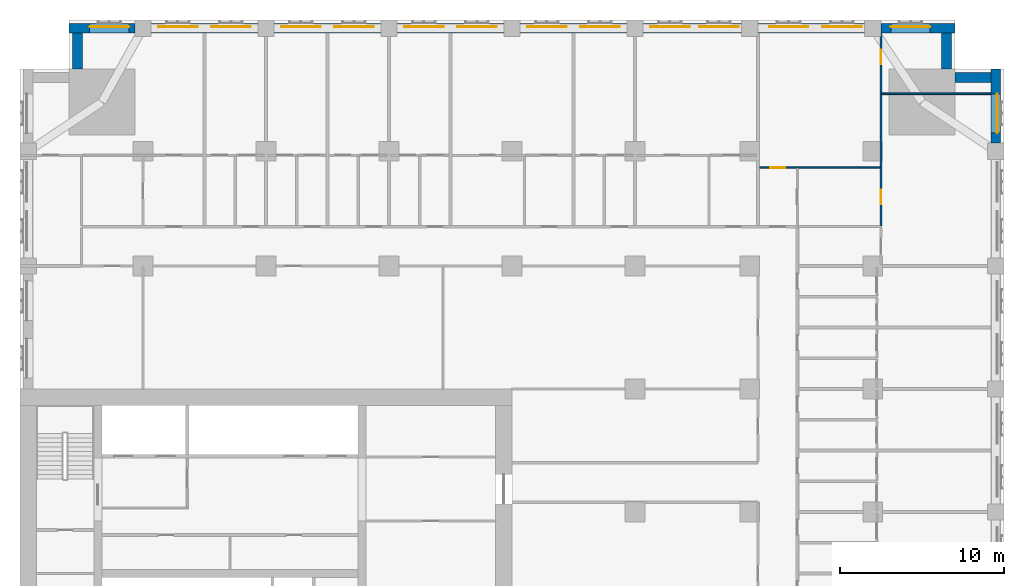
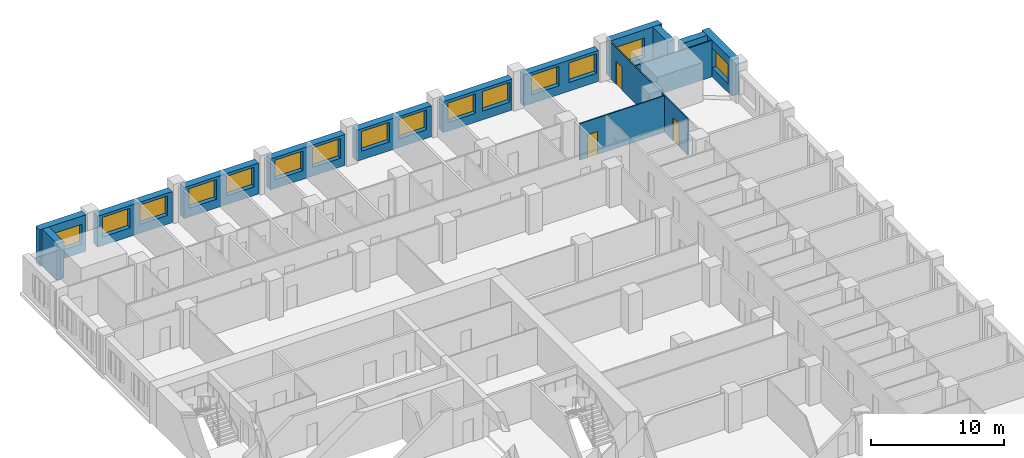
# One storey, part 12 of 15: 15 walls, 15 windows, 3 doors, 18 openings.
"""IFC4 building model written with IfcOpenShell, lengths in metres."""

import ifcopenshell
import ifcopenshell.guid

model = None  # the IFC model being written
_history = None  # IfcOwnerHistory: only IFC2X3 demands one
_inside = {}  # id of a spatial element -> (the spatial element, [elements in it])
_under = {}  # id of a project, library or spatial element -> (it, [spatial elements below it])
_declared = {}  # id of a project -> (the project, [libraries it declares])
_typed = {}  # id of a type object -> (the type object, [elements of that type])
_made_of = {}  # id of a material, layer set ... -> (it, [elements and type objects made of it])


def new_model(schema):
    """Start an empty IFC model of exactly this schema.

    Asked for "IFC4X3", IfcOpenShell would pick the latest addendum, in which some entities
    have other attributes; the version numbers below select the first issue.
    IFC2X3 requires an IfcOwnerHistory on every rooted entity: one is made here for all.
    """
    global model, _history
    if schema == "IFC4X3":
        model = ifcopenshell.file(schema_version=(4, 3, 0, 0))
    else:
        model = ifcopenshell.file(schema=schema)
    _inside.clear()
    _under.clear()
    _declared.clear()
    _typed.clear()
    _made_of.clear()
    _history = None
    if model.schema == "IFC2X3":
        org = make("IfcOrganization", Name="unknown")
        user = make(
            "IfcPersonAndOrganization",
            ThePerson=make("IfcPerson", FamilyName="unknown"),
            TheOrganization=org,
        )
        app = make(
            "IfcApplication",
            ApplicationDeveloper=org,
            Version="unknown",
            ApplicationFullName="unknown",
            ApplicationIdentifier="unknown",
        )
        _history = make(
            "IfcOwnerHistory",
            OwningUser=user,
            OwningApplication=app,
            ChangeAction="ADDED",
            CreationDate=0,
        )
    return model


def make(cls, **values):
    """One entity of the class cls with the attributes given. An attribute that is None is left unset."""
    return model.create_entity(
        cls, **{name: value for name, value in values.items() if value is not None}
    )


def rooted(cls, **values):
    """An entity with a GlobalId (a new one), such as an element, a storey or a relation."""
    return make(cls, GlobalId=ifcopenshell.guid.new(), OwnerHistory=_history, **values)


def si_unit(unit_type, name, prefix=None):
    """IfcSIUnit, for example si_unit("LENGTHUNIT", "METRE", prefix="MILLI")."""
    return make("IfcSIUnit", UnitType=unit_type, Prefix=prefix, Name=name)


def assignment(units):
    """IfcUnitAssignment: the units of a project."""
    return None if units is None else make("IfcUnitAssignment", Units=units)


def point(xyz):
    """IfcCartesianPoint."""
    return None if xyz is None else make("IfcCartesianPoint", Coordinates=xyz)


def direction(xyz):
    """IfcDirection."""
    return None if xyz is None else make("IfcDirection", DirectionRatios=xyz)


def frame(location, z_axis=None, x_axis=None):
    """IfcAxis2Placement3D, a coordinate frame: its origin and axes. An axis left out is left unset."""
    return make(
        "IfcAxis2Placement3D",
        Location=point(location),
        Axis=direction(z_axis),
        RefDirection=direction(x_axis),
    )


def frame_2d(location, x_axis=None):
    """IfcAxis2Placement2D, a coordinate frame in the plane: its origin and x axis."""
    return make(
        "IfcAxis2Placement2D", Location=point(location), RefDirection=direction(x_axis)
    )


def origin():
    """The frame at (0, 0, 0) with its axes left unset."""
    return frame((0.0, 0.0, 0.0))


def place(relative_to, where):
    """IfcLocalPlacement: puts the frame where relative to a parent placement (None: the world)."""
    return make(
        "IfcLocalPlacement", PlacementRelTo=relative_to, RelativePlacement=where
    )


def context(
    kind, dimensions, precision=None, world=None, true_north=None, identifier=None
):
    """IfcGeometricRepresentationContext, for example the 3D "Model" context."""
    return make(
        "IfcGeometricRepresentationContext",
        ContextIdentifier=identifier,
        ContextType=kind,
        CoordinateSpaceDimension=dimensions,
        Precision=precision,
        WorldCoordinateSystem=world,
        TrueNorth=true_north,
    )


def subcontext(parent, identifier, kind, view, scale=None):
    """IfcGeometricRepresentationSubContext, for example "Body" below "Model"."""
    return make(
        "IfcGeometricRepresentationSubContext",
        ContextIdentifier=identifier,
        ContextType=kind,
        ParentContext=parent,
        TargetScale=scale,
        TargetView=view,
    )


def project(units=None, contexts=None):
    """IfcProject with its units and contexts."""
    return rooted(
        "IfcProject",
        Name="project",
        RepresentationContexts=contexts,
        UnitsInContext=assignment(units),
    )


def spatial(cls, under=None, at=None, **own):
    """A site, building, storey or space (cls), placed at a placement, below another one or the project."""
    s = rooted(cls, ObjectPlacement=at, **own)
    if under is not None:
        _under.setdefault(under.id(), (under, []))[1].append(s)
    return s


def profile(cls, at=None, kind="AREA", **sizes):
    """A parametric profile (cls). Its sizes go by their IFC names, for example OverallWidth=200.0."""
    return make(cls, ProfileType=kind, Position=at, **sizes)


def rectangle(**sizes):
    """IfcRectangleProfileDef."""
    return profile("IfcRectangleProfileDef", **sizes)


def extrude(swept, where, along, depth):
    """IfcExtrudedAreaSolid: the profile swept, set in the frame where, extruded along a direction by depth."""
    return make(
        "IfcExtrudedAreaSolid",
        SweptArea=swept,
        Position=where,
        ExtrudedDirection=direction(along),
        Depth=depth,
    )


def shape(context_of_items, identifier, shape_type, items):
    """IfcShapeRepresentation: the items that make up one representation, for example the "Body"."""
    return make(
        "IfcShapeRepresentation",
        ContextOfItems=context_of_items,
        RepresentationIdentifier=identifier,
        RepresentationType=shape_type,
        Items=items,
    )


def material(Name=None, Category=None):
    """IfcMaterial."""
    return make("IfcMaterial", Name=Name, Category=Category)


def layer(
    of_material, thickness, ventilated=None, Name=None, Category=None, Priority=None
):
    """IfcMaterialLayer: one layer of a wall or slab, of a material (None: an air gap)."""
    return make(
        "IfcMaterialLayer",
        Material=of_material,
        LayerThickness=thickness,
        IsVentilated=ventilated,
        Name=Name,
        Category=Category,
        Priority=Priority,
    )


def layer_set(layers, Name=None):
    """IfcMaterialLayerSet."""
    return make("IfcMaterialLayerSet", MaterialLayers=layers, LayerSetName=Name)


def made_of(thing, what):
    """Note that an element or type object is made of a material, layer set ...; save() writes the relation."""
    if what is not None:
        _made_of.setdefault(what.id(), (what, []))[1].append(thing)
    return thing


def type_object(cls, material=None, **own):
    """A type object (cls), such as IfcWallType, which elements share."""
    return made_of(rooted(cls, **own), material)


def element(
    cls,
    number,
    at=None,
    inside=None,
    cuts=None,
    type_object=None,
    material=None,
    context=None,
    identifier="Body",
    shape_type=None,
    held_by="IfcProductDefinitionShape",
    body=None,
    shapes=None,
    **own,
):
    """One element of the class cls, such as IfcWall. Its Tag is "e" and its number.

    at: its placement. inside: the storey or other place that contains it. cuts: it is an
    opening in that element (IfcRelVoidsElement). A single representation is given by context,
    identifier, shape_type and body (its items); several are given by shapes. held_by: the class
    of the entity that holds the representations. save() writes the other relations.
    """
    e = rooted(cls, Tag="e%d" % number, ObjectPlacement=at, **own)
    if body is not None:
        shapes = [shape(context, identifier, shape_type, body)]
    if shapes is not None:
        e.Representation = make(held_by, Representations=shapes)
    if inside is not None:
        _inside.setdefault(inside.id(), (inside, []))[1].append(e)
    if cuts is not None:
        rooted(
            "IfcRelVoidsElement", RelatingBuildingElement=cuts, RelatedOpeningElement=e
        )
    if type_object is not None:
        _typed.setdefault(type_object.id(), (type_object, []))[1].append(e)
    return made_of(e, material)


def fill(opening, filler):
    """IfcRelFillsElement: the door or window that sits in an opening."""
    return rooted(
        "IfcRelFillsElement",
        RelatingOpeningElement=opening,
        RelatedBuildingElement=filler,
    )


def aggregate(whole, parts):
    """IfcRelAggregates: a whole, such as a stair, and the parts it consists of."""
    return rooted("IfcRelAggregates", RelatingObject=whole, RelatedObjects=parts)


def save(model, path):
    """Write the relations noted so far, then the file.

    IfcRelAggregates (storeys below a building ...), IfcRelContainedInSpatialStructure (elements
    in a storey), IfcRelDefinesByType, IfcRelAssociatesMaterial and IfcRelDeclares: one each for
    every whole, place, type object, material and project.
    """
    for whole, parts in _under.values():
        aggregate(whole, parts)
    for where, things in _inside.values():
        rooted(
            "IfcRelContainedInSpatialStructure",
            RelatedElements=things,
            RelatingStructure=where,
        )
    for kind, things in _typed.values():
        rooted("IfcRelDefinesByType", RelatedObjects=things, RelatingType=kind)
    for what, things in _made_of.values():
        rooted("IfcRelAssociatesMaterial", RelatedObjects=things, RelatingMaterial=what)
    for by, libraries in _declared.values():
        rooted("IfcRelDeclares", RelatingContext=by, RelatedDefinitions=libraries)
    model.write(path)


model = new_model("IFC4")

# Units and contexts
model_context = context("Model", 3, precision=1e-05, world=origin(), true_north=direction((0.0, 1.0)))
body_context = subcontext(model_context, "Body", "Model", "MODEL_VIEW")
ifc_project = project(units=[si_unit("LENGTHUNIT", "METRE"), si_unit("AREAUNIT", "SQUARE_METRE"), si_unit("VOLUMEUNIT", "CUBIC_METRE"), si_unit("PLANEANGLEUNIT", "RADIAN"), si_unit("MASSUNIT", "GRAM", prefix="KILO")], contexts=[model_context])

# Site, building, storey
site_placement = place(None, origin())
site = spatial("IfcSite", under=ifc_project, at=site_placement, CompositionType="ELEMENT")
building_placement = place(site_placement, origin())
building = spatial("IfcBuilding", under=site, at=building_placement, Name="Tamorin Gate", CompositionType="ELEMENT")
storey_placement = place(building_placement, frame((0.0, 0.0, 62.800048828125)))
storey = spatial("IfcBuildingStorey", under=building, at=storey_placement, Name="L14", CompositionType="ELEMENT", Elevation=62.800048828125)

# Wall, opening, window
ifc_material_1 = material(Name="Precast concrete C40/50", Category="concrete")
ifc_layer_1 = layer(ifc_material_1, 0.60009765625)
ifc_layer_set_1 = layer_set([ifc_layer_1], Name="Precast concrete C40/50")
wall_type_1 = type_object("IfcWallType", Name="Board-marked concrete facade panel 600", PredefinedType="SOLIDWALL", material=ifc_layer_set_1)
wall_1_placement = place(storey_placement, frame((89.5, 97.5, 0.0), z_axis=(0.0, 0.0, 1.0), x_axis=(0.0, 1.0, 0.0)))
wall_1 = element("IfcWall", 1, at=wall_1_placement, inside=storey, type_object=wall_type_1, Name="Facade panel", PredefinedType="SOLIDWALL", context=body_context, shape_type="SweptSolid", body=[
    extrude(rectangle(XDim=4.5, YDim=0.60009765625, at=frame_2d((2.25, 0.0))), origin(), (0.0, 0.0, 1.0), 3.349853515625),
])
opening_1_placement = place(wall_1_placement, frame((0.60009765625, 0.0, 0.800048828125)))
opening_1 = element("IfcOpeningElement", 2, at=opening_1_placement, cuts=wall_1, Name="Opening WN1", PredefinedType="OPENING", context=body_context, shape_type="SweptSolid", body=[
    extrude(rectangle(XDim=2.39990234375, YDim=1.800048828125, at=frame_2d((1.199951171875, 0.89990234375))), frame((0.0, 0.31005859375, 0.0), z_axis=(0.0, -1.0, 0.0), x_axis=(1.0, 0.0, 0.0)), (0.0, 0.0, 1.0), 0.6201171875),
])
ifc_material_2 = material(Name="Clear glass in aluminium frame", Category="aluminium")
window_type = type_object("IfcWindowType", Name="Deep-set window 2400x1800", PartitioningType="SINGLE_PANEL", PredefinedType="WINDOW", material=ifc_material_2)
window_1_placement = place(opening_1_placement, origin())
window_1 = element("IfcWindow", 3, at=window_1_placement, inside=storey, type_object=window_type, Name="Deep-set window", OverallHeight=1.800048828125, OverallWidth=2.39990234375, PartitioningType="SINGLE_PANEL", PredefinedType="WINDOW", context=body_context, shape_type="SweptSolid", body=[
    extrude(rectangle(XDim=2.39990234375, YDim=1.800048828125, at=frame_2d((1.199951171875, 0.89990234375))), frame((0.0, -0.070068359375, 0.0), z_axis=(0.0, -1.0, 0.0), x_axis=(1.0, 0.0, 0.0)), (0.0, 0.0, 1.0), 0.06005859375),
])
fill(opening_1, window_1)

# Walls
for number, where, z_axis, x_axis, name in (
    (4, (89.199951171875, 101.5, 0.0), (0.0, 0.0, 1.0), (-1.0, 0.0, 0.0), "Facade panel"),
    (5, (86.5, 102.0, 0.0), (0.0, 0.0, 1.0), (0.0, 1.0, 0.0), "Facade panel"),
):
    element("IfcWall", number, at=place(storey_placement, frame(where, z_axis=z_axis, x_axis=x_axis)), inside=storey, type_object=wall_type_1, Name=name, PredefinedType="SOLIDWALL", context=body_context, shape_type="SweptSolid", body=[
        extrude(rectangle(XDim=2.199951171875, YDim=0.60009765625, at=frame_2d((1.10009765625, 0.0))), origin(), (0.0, 0.0, 1.0), 3.349853515625),
    ])

# Wall, opening, window
wall_2_placement = place(storey_placement, frame((87.0, 104.5, 0.0), z_axis=(0.0, 0.0, 1.0), x_axis=(-1.0, 0.0, 0.0)))
wall_2 = element("IfcWall", 6, at=wall_2_placement, inside=storey, type_object=wall_type_1, Name="Facade panel", PredefinedType="SOLIDWALL", context=body_context, shape_type="SweptSolid", body=[
    extrude(rectangle(XDim=4.5, YDim=0.60009765625, at=frame_2d((2.25, 0.0))), origin(), (0.0, 0.0, 1.0), 3.349853515625),
])
opening_2_placement = place(wall_2_placement, frame((1.5, 0.0, 0.800048828125)))
opening_2 = element("IfcOpeningElement", 7, at=opening_2_placement, cuts=wall_2, Name="Opening WN1", PredefinedType="OPENING", context=body_context, shape_type="SweptSolid", body=[
    extrude(rectangle(XDim=2.39990234375, YDim=1.800048828125, at=frame_2d((1.199951171875, 0.89990234375))), frame((0.0, 0.31005859375, 0.0), z_axis=(0.0, -1.0, 0.0), x_axis=(1.0, 0.0, 0.0)), (0.0, 0.0, 1.0), 0.6201171875),
])
window_2_placement = place(opening_2_placement, origin())
window_2 = element("IfcWindow", 8, at=window_2_placement, inside=storey, type_object=window_type, Name="Deep-set window", OverallHeight=1.800048828125, OverallWidth=2.39990234375, PartitioningType="SINGLE_PANEL", PredefinedType="WINDOW", context=body_context, shape_type="SweptSolid", body=[
    extrude(rectangle(XDim=2.39990234375, YDim=1.800048828125, at=frame_2d((1.199951171875, 0.89990234375))), frame((0.0, -0.070068359375, 0.0), z_axis=(0.0, -1.0, 0.0), x_axis=(1.0, 0.0, 0.0)), (0.0, 0.0, 1.0), 0.06005859375),
])
fill(opening_2, window_2)

# Wall, openings, windows
wall_3_placement = place(storey_placement, frame((81.5, 104.5, 0.0), z_axis=(0.0, 0.0, 1.0), x_axis=(-1.0, 0.0, 0.0)))
wall_3 = element("IfcWall", 9, at=wall_3_placement, inside=storey, type_object=wall_type_1, Name="Facade panel", PredefinedType="SOLIDWALL", context=body_context, shape_type="SweptSolid", body=[
    extrude(rectangle(XDim=6.5, YDim=0.60009765625, at=frame_2d((3.25, 0.0))), origin(), (0.0, 0.0, 1.0), 2.849853515625),
])
opening_3_placement = place(wall_3_placement, frame((3.425048828125, 0.0, 0.800048828125)))
opening_3 = element("IfcOpeningElement", 10, at=opening_3_placement, cuts=wall_3, Name="Opening WN1", PredefinedType="OPENING", context=body_context, shape_type="SweptSolid", body=[
    extrude(rectangle(XDim=2.39990234375, YDim=1.800048828125, at=frame_2d((1.199951171875, 0.89990234375))), frame((0.0, 0.31005859375, 0.0), z_axis=(0.0, -1.0, 0.0), x_axis=(1.0, 0.0, 0.0)), (0.0, 0.0, 1.0), 0.6201171875),
])
opening_4_placement = place(wall_3_placement, frame((0.175048828125, 0.0, 0.800048828125)))
opening_4 = element("IfcOpeningElement", 11, at=opening_4_placement, cuts=wall_3, Name="Opening WN1", PredefinedType="OPENING", context=body_context, shape_type="SweptSolid", body=[
    extrude(rectangle(XDim=2.39990234375, YDim=1.800048828125, at=frame_2d((1.199951171875, 0.89990234375))), frame((0.0, 0.31005859375, 0.0), z_axis=(0.0, -1.0, 0.0), x_axis=(1.0, 0.0, 0.0)), (0.0, 0.0, 1.0), 0.6201171875),
])
window_3_placement = place(opening_3_placement, origin())
window_3 = element("IfcWindow", 12, at=window_3_placement, inside=storey, type_object=window_type, Name="Deep-set window", OverallHeight=1.800048828125, OverallWidth=2.39990234375, PartitioningType="SINGLE_PANEL", PredefinedType="WINDOW", context=body_context, shape_type="SweptSolid", body=[
    extrude(rectangle(XDim=2.39990234375, YDim=1.800048828125, at=frame_2d((1.199951171875, 0.89990234375))), frame((0.0, -0.070068359375, 0.0), z_axis=(0.0, -1.0, 0.0), x_axis=(1.0, 0.0, 0.0)), (0.0, 0.0, 1.0), 0.06005859375),
])
fill(opening_3, window_3)
window_4_placement = place(opening_4_placement, origin())
window_4 = element("IfcWindow", 13, at=window_4_placement, inside=storey, type_object=window_type, Name="Deep-set window", OverallHeight=1.800048828125, OverallWidth=2.39990234375, PartitioningType="SINGLE_PANEL", PredefinedType="WINDOW", context=body_context, shape_type="SweptSolid", body=[
    extrude(rectangle(XDim=2.39990234375, YDim=1.800048828125, at=frame_2d((1.199951171875, 0.89990234375))), frame((0.0, -0.070068359375, 0.0), z_axis=(0.0, -1.0, 0.0), x_axis=(1.0, 0.0, 0.0)), (0.0, 0.0, 1.0), 0.06005859375),
])
fill(opening_4, window_4)

wall_4_placement = place(storey_placement, frame((74.0, 104.5, 0.0), z_axis=(0.0, 0.0, 1.0), x_axis=(-1.0, 0.0, 0.0)))
wall_4 = element("IfcWall", 14, at=wall_4_placement, inside=storey, type_object=wall_type_1, Name="Facade panel", PredefinedType="SOLIDWALL", context=body_context, shape_type="SweptSolid", body=[
    extrude(rectangle(XDim=6.0, YDim=0.60009765625, at=frame_2d((3.0, 0.0))), origin(), (0.0, 0.0, 1.0), 2.849853515625),
])
opening_5_placement = place(wall_4_placement, frame((3.175048828125, 0.0, 0.800048828125)))
opening_5 = element("IfcOpeningElement", 15, at=opening_5_placement, cuts=wall_4, Name="Opening WN1", PredefinedType="OPENING", context=body_context, shape_type="SweptSolid", body=[
    extrude(rectangle(XDim=2.39990234375, YDim=1.800048828125, at=frame_2d((1.199951171875, 0.89990234375))), frame((0.0, 0.31005859375, 0.0), z_axis=(0.0, -1.0, 0.0), x_axis=(1.0, 0.0, 0.0)), (0.0, 0.0, 1.0), 0.6201171875),
])
opening_6_placement = place(wall_4_placement, frame((0.175048828125, 0.0, 0.800048828125)))
opening_6 = element("IfcOpeningElement", 16, at=opening_6_placement, cuts=wall_4, Name="Opening WN1", PredefinedType="OPENING", context=body_context, shape_type="SweptSolid", body=[
    extrude(rectangle(XDim=2.39990234375, YDim=1.800048828125, at=frame_2d((1.199951171875, 0.89990234375))), frame((0.0, 0.31005859375, 0.0), z_axis=(0.0, -1.0, 0.0), x_axis=(1.0, 0.0, 0.0)), (0.0, 0.0, 1.0), 0.6201171875),
])
window_5_placement = place(opening_5_placement, origin())
window_5 = element("IfcWindow", 17, at=window_5_placement, inside=storey, type_object=window_type, Name="Deep-set window", OverallHeight=1.800048828125, OverallWidth=2.39990234375, PartitioningType="SINGLE_PANEL", PredefinedType="WINDOW", context=body_context, shape_type="SweptSolid", body=[
    extrude(rectangle(XDim=2.39990234375, YDim=1.800048828125, at=frame_2d((1.199951171875, 0.89990234375))), frame((0.0, -0.070068359375, 0.0), z_axis=(0.0, -1.0, 0.0), x_axis=(1.0, 0.0, 0.0)), (0.0, 0.0, 1.0), 0.06005859375),
])
fill(opening_5, window_5)
window_6_placement = place(opening_6_placement, origin())
window_6 = element("IfcWindow", 18, at=window_6_placement, inside=storey, type_object=window_type, Name="Deep-set window", OverallHeight=1.800048828125, OverallWidth=2.39990234375, PartitioningType="SINGLE_PANEL", PredefinedType="WINDOW", context=body_context, shape_type="SweptSolid", body=[
    extrude(rectangle(XDim=2.39990234375, YDim=1.800048828125, at=frame_2d((1.199951171875, 0.89990234375))), frame((0.0, -0.070068359375, 0.0), z_axis=(0.0, -1.0, 0.0), x_axis=(1.0, 0.0, 0.0)), (0.0, 0.0, 1.0), 0.06005859375),
])
fill(opening_6, window_6)

wall_5_placement = place(storey_placement, frame((67.0, 104.5, 0.0), z_axis=(0.0, 0.0, 1.0), x_axis=(-1.0, 0.0, 0.0)))
wall_5 = element("IfcWall", 19, at=wall_5_placement, inside=storey, type_object=wall_type_1, Name="Facade panel", PredefinedType="SOLIDWALL", context=body_context, shape_type="SweptSolid", body=[
    extrude(rectangle(XDim=6.5, YDim=0.60009765625, at=frame_2d((3.25, 0.0))), origin(), (0.0, 0.0, 1.0), 2.849853515625),
])
opening_7_placement = place(wall_5_placement, frame((3.675048828125, 0.0, 0.800048828125)))
opening_7 = element("IfcOpeningElement", 20, at=opening_7_placement, cuts=wall_5, Name="Opening WN1", PredefinedType="OPENING", context=body_context, shape_type="SweptSolid", body=[
    extrude(rectangle(XDim=2.39990234375, YDim=1.800048828125, at=frame_2d((1.199951171875, 0.89990234375))), frame((0.0, 0.31005859375, 0.0), z_axis=(0.0, -1.0, 0.0), x_axis=(1.0, 0.0, 0.0)), (0.0, 0.0, 1.0), 0.6201171875),
])
opening_8_placement = place(wall_5_placement, frame((0.425048828125, 0.0, 0.800048828125)))
opening_8 = element("IfcOpeningElement", 21, at=opening_8_placement, cuts=wall_5, Name="Opening WN1", PredefinedType="OPENING", context=body_context, shape_type="SweptSolid", body=[
    extrude(rectangle(XDim=2.39990234375, YDim=1.800048828125, at=frame_2d((1.199951171875, 0.89990234375))), frame((0.0, 0.31005859375, 0.0), z_axis=(0.0, -1.0, 0.0), x_axis=(1.0, 0.0, 0.0)), (0.0, 0.0, 1.0), 0.6201171875),
])
window_7_placement = place(opening_7_placement, origin())
window_7 = element("IfcWindow", 22, at=window_7_placement, inside=storey, type_object=window_type, Name="Deep-set window", OverallHeight=1.800048828125, OverallWidth=2.39990234375, PartitioningType="SINGLE_PANEL", PredefinedType="WINDOW", context=body_context, shape_type="SweptSolid", body=[
    extrude(rectangle(XDim=2.39990234375, YDim=1.800048828125, at=frame_2d((1.199951171875, 0.89990234375))), frame((0.0, -0.070068359375, 0.0), z_axis=(0.0, -1.0, 0.0), x_axis=(1.0, 0.0, 0.0)), (0.0, 0.0, 1.0), 0.06005859375),
])
fill(opening_7, window_7)
window_8_placement = place(opening_8_placement, origin())
window_8 = element("IfcWindow", 23, at=window_8_placement, inside=storey, type_object=window_type, Name="Deep-set window", OverallHeight=1.800048828125, OverallWidth=2.39990234375, PartitioningType="SINGLE_PANEL", PredefinedType="WINDOW", context=body_context, shape_type="SweptSolid", body=[
    extrude(rectangle(XDim=2.39990234375, YDim=1.800048828125, at=frame_2d((1.199951171875, 0.89990234375))), frame((0.0, -0.070068359375, 0.0), z_axis=(0.0, -1.0, 0.0), x_axis=(1.0, 0.0, 0.0)), (0.0, 0.0, 1.0), 0.06005859375),
])
fill(opening_8, window_8)

wall_6_placement = place(storey_placement, frame((59.5, 104.5, 0.0), z_axis=(0.0, 0.0, 1.0), x_axis=(-1.0, 0.0, 0.0)))
wall_6 = element("IfcWall", 24, at=wall_6_placement, inside=storey, type_object=wall_type_1, Name="Facade panel", PredefinedType="SOLIDWALL", context=body_context, shape_type="SweptSolid", body=[
    extrude(rectangle(XDim=6.5, YDim=0.60009765625, at=frame_2d((3.25, 0.0))), origin(), (0.0, 0.0, 1.0), 2.849853515625),
])
opening_9_placement = place(wall_6_placement, frame((3.675048828125, 0.0, 0.800048828125)))
opening_9 = element("IfcOpeningElement", 25, at=opening_9_placement, cuts=wall_6, Name="Opening WN1", PredefinedType="OPENING", context=body_context, shape_type="SweptSolid", body=[
    extrude(rectangle(XDim=2.39990234375, YDim=1.800048828125, at=frame_2d((1.199951171875, 0.89990234375))), frame((0.0, 0.31005859375, 0.0), z_axis=(0.0, -1.0, 0.0), x_axis=(1.0, 0.0, 0.0)), (0.0, 0.0, 1.0), 0.6201171875),
])
opening_10_placement = place(wall_6_placement, frame((0.425048828125, 0.0, 0.800048828125)))
opening_10 = element("IfcOpeningElement", 26, at=opening_10_placement, cuts=wall_6, Name="Opening WN1", PredefinedType="OPENING", context=body_context, shape_type="SweptSolid", body=[
    extrude(rectangle(XDim=2.39990234375, YDim=1.800048828125, at=frame_2d((1.199951171875, 0.89990234375))), frame((0.0, 0.31005859375, 0.0), z_axis=(0.0, -1.0, 0.0), x_axis=(1.0, 0.0, 0.0)), (0.0, 0.0, 1.0), 0.6201171875),
])
window_9_placement = place(opening_9_placement, origin())
window_9 = element("IfcWindow", 27, at=window_9_placement, inside=storey, type_object=window_type, Name="Deep-set window", OverallHeight=1.800048828125, OverallWidth=2.39990234375, PartitioningType="SINGLE_PANEL", PredefinedType="WINDOW", context=body_context, shape_type="SweptSolid", body=[
    extrude(rectangle(XDim=2.39990234375, YDim=1.800048828125, at=frame_2d((1.199951171875, 0.89990234375))), frame((0.0, -0.070068359375, 0.0), z_axis=(0.0, -1.0, 0.0), x_axis=(1.0, 0.0, 0.0)), (0.0, 0.0, 1.0), 0.06005859375),
])
fill(opening_9, window_9)
window_10_placement = place(opening_10_placement, origin())
window_10 = element("IfcWindow", 28, at=window_10_placement, inside=storey, type_object=window_type, Name="Deep-set window", OverallHeight=1.800048828125, OverallWidth=2.39990234375, PartitioningType="SINGLE_PANEL", PredefinedType="WINDOW", context=body_context, shape_type="SweptSolid", body=[
    extrude(rectangle(XDim=2.39990234375, YDim=1.800048828125, at=frame_2d((1.199951171875, 0.89990234375))), frame((0.0, -0.070068359375, 0.0), z_axis=(0.0, -1.0, 0.0), x_axis=(1.0, 0.0, 0.0)), (0.0, 0.0, 1.0), 0.06005859375),
])
fill(opening_10, window_10)

wall_7_placement = place(storey_placement, frame((52.0, 104.5, 0.0), z_axis=(0.0, 0.0, 1.0), x_axis=(-1.0, 0.0, 0.0)))
wall_7 = element("IfcWall", 29, at=wall_7_placement, inside=storey, type_object=wall_type_1, Name="Facade panel", PredefinedType="SOLIDWALL", context=body_context, shape_type="SweptSolid", body=[
    extrude(rectangle(XDim=6.5, YDim=0.60009765625, at=frame_2d((3.25, 0.0))), origin(), (0.0, 0.0, 1.0), 2.849853515625),
])
opening_11_placement = place(wall_7_placement, frame((3.675048828125, 0.0, 0.800048828125)))
opening_11 = element("IfcOpeningElement", 30, at=opening_11_placement, cuts=wall_7, Name="Opening WN1", PredefinedType="OPENING", context=body_context, shape_type="SweptSolid", body=[
    extrude(rectangle(XDim=2.39990234375, YDim=1.800048828125, at=frame_2d((1.199951171875, 0.89990234375))), frame((0.0, 0.31005859375, 0.0), z_axis=(0.0, -1.0, 0.0), x_axis=(1.0, 0.0, 0.0)), (0.0, 0.0, 1.0), 0.6201171875),
])
opening_12_placement = place(wall_7_placement, frame((0.425048828125, 0.0, 0.800048828125)))
opening_12 = element("IfcOpeningElement", 31, at=opening_12_placement, cuts=wall_7, Name="Opening WN1", PredefinedType="OPENING", context=body_context, shape_type="SweptSolid", body=[
    extrude(rectangle(XDim=2.39990234375, YDim=1.800048828125, at=frame_2d((1.199951171875, 0.89990234375))), frame((0.0, 0.31005859375, 0.0), z_axis=(0.0, -1.0, 0.0), x_axis=(1.0, 0.0, 0.0)), (0.0, 0.0, 1.0), 0.6201171875),
])
window_11_placement = place(opening_11_placement, origin())
window_11 = element("IfcWindow", 32, at=window_11_placement, inside=storey, type_object=window_type, Name="Deep-set window", OverallHeight=1.800048828125, OverallWidth=2.39990234375, PartitioningType="SINGLE_PANEL", PredefinedType="WINDOW", context=body_context, shape_type="SweptSolid", body=[
    extrude(rectangle(XDim=2.39990234375, YDim=1.800048828125, at=frame_2d((1.199951171875, 0.89990234375))), frame((0.0, -0.070068359375, 0.0), z_axis=(0.0, -1.0, 0.0), x_axis=(1.0, 0.0, 0.0)), (0.0, 0.0, 1.0), 0.06005859375),
])
fill(opening_11, window_11)
window_12_placement = place(opening_12_placement, origin())
window_12 = element("IfcWindow", 33, at=window_12_placement, inside=storey, type_object=window_type, Name="Deep-set window", OverallHeight=1.800048828125, OverallWidth=2.39990234375, PartitioningType="SINGLE_PANEL", PredefinedType="WINDOW", context=body_context, shape_type="SweptSolid", body=[
    extrude(rectangle(XDim=2.39990234375, YDim=1.800048828125, at=frame_2d((1.199951171875, 0.89990234375))), frame((0.0, -0.070068359375, 0.0), z_axis=(0.0, -1.0, 0.0), x_axis=(1.0, 0.0, 0.0)), (0.0, 0.0, 1.0), 0.06005859375),
])
fill(opening_12, window_12)

wall_8_placement = place(storey_placement, frame((44.5, 104.5, 0.0), z_axis=(0.0, 0.0, 1.0), x_axis=(-1.0, 0.0, 0.0)))
wall_8 = element("IfcWall", 34, at=wall_8_placement, inside=storey, type_object=wall_type_1, Name="Facade panel", PredefinedType="SOLIDWALL", context=body_context, shape_type="SweptSolid", body=[
    extrude(rectangle(XDim=6.5, YDim=0.60009765625, at=frame_2d((3.25, 0.0))), origin(), (0.0, 0.0, 1.0), 2.849853515625),
])
opening_13_placement = place(wall_8_placement, frame((3.675048828125, 0.0, 0.800048828125)))
opening_13 = element("IfcOpeningElement", 35, at=opening_13_placement, cuts=wall_8, Name="Opening WN1", PredefinedType="OPENING", context=body_context, shape_type="SweptSolid", body=[
    extrude(rectangle(XDim=2.39990234375, YDim=1.800048828125, at=frame_2d((1.199951171875, 0.89990234375))), frame((0.0, 0.31005859375, 0.0), z_axis=(0.0, -1.0, 0.0), x_axis=(1.0, 0.0, 0.0)), (0.0, 0.0, 1.0), 0.6201171875),
])
opening_14_placement = place(wall_8_placement, frame((0.425048828125, 0.0, 0.800048828125)))
opening_14 = element("IfcOpeningElement", 36, at=opening_14_placement, cuts=wall_8, Name="Opening WN1", PredefinedType="OPENING", context=body_context, shape_type="SweptSolid", body=[
    extrude(rectangle(XDim=2.39990234375, YDim=1.800048828125, at=frame_2d((1.199951171875, 0.89990234375))), frame((0.0, 0.31005859375, 0.0), z_axis=(0.0, -1.0, 0.0), x_axis=(1.0, 0.0, 0.0)), (0.0, 0.0, 1.0), 0.6201171875),
])
window_13_placement = place(opening_13_placement, origin())
window_13 = element("IfcWindow", 37, at=window_13_placement, inside=storey, type_object=window_type, Name="Deep-set window", OverallHeight=1.800048828125, OverallWidth=2.39990234375, PartitioningType="SINGLE_PANEL", PredefinedType="WINDOW", context=body_context, shape_type="SweptSolid", body=[
    extrude(rectangle(XDim=2.39990234375, YDim=1.800048828125, at=frame_2d((1.199951171875, 0.89990234375))), frame((0.0, -0.070068359375, 0.0), z_axis=(0.0, -1.0, 0.0), x_axis=(1.0, 0.0, 0.0)), (0.0, 0.0, 1.0), 0.06005859375),
])
fill(opening_13, window_13)
window_14_placement = place(opening_14_placement, origin())
window_14 = element("IfcWindow", 38, at=window_14_placement, inside=storey, type_object=window_type, Name="Deep-set window", OverallHeight=1.800048828125, OverallWidth=2.39990234375, PartitioningType="SINGLE_PANEL", PredefinedType="WINDOW", context=body_context, shape_type="SweptSolid", body=[
    extrude(rectangle(XDim=2.39990234375, YDim=1.800048828125, at=frame_2d((1.199951171875, 0.89990234375))), frame((0.0, -0.070068359375, 0.0), z_axis=(0.0, -1.0, 0.0), x_axis=(1.0, 0.0, 0.0)), (0.0, 0.0, 1.0), 0.06005859375),
])
fill(opening_14, window_14)

# Wall, opening, window
wall_9_placement = place(storey_placement, frame((37.0, 104.5, 0.0), z_axis=(0.0, 0.0, 1.0), x_axis=(-1.0, 0.0, 0.0)))
wall_9 = element("IfcWall", 39, at=wall_9_placement, inside=storey, type_object=wall_type_1, Name="Facade panel", PredefinedType="SOLIDWALL", context=body_context, shape_type="SweptSolid", body=[
    extrude(rectangle(XDim=4.0, YDim=0.60009765625, at=frame_2d((2.0, 0.0))), origin(), (0.0, 0.0, 1.0), 3.349853515625),
])
opening_15_placement = place(wall_9_placement, frame((0.35009765625, 0.0, 0.800048828125)))
opening_15 = element("IfcOpeningElement", 40, at=opening_15_placement, cuts=wall_9, Name="Opening WN1", PredefinedType="OPENING", context=body_context, shape_type="SweptSolid", body=[
    extrude(rectangle(XDim=2.39990234375, YDim=1.800048828125, at=frame_2d((1.199951171875, 0.89990234375))), frame((0.0, 0.31005859375, 0.0), z_axis=(0.0, -1.0, 0.0), x_axis=(1.0, 0.0, 0.0)), (0.0, 0.0, 1.0), 0.6201171875),
])
window_15_placement = place(opening_15_placement, origin())
window_15 = element("IfcWindow", 41, at=window_15_placement, inside=storey, type_object=window_type, Name="Deep-set window", OverallHeight=1.800048828125, OverallWidth=2.39990234375, PartitioningType="SINGLE_PANEL", PredefinedType="WINDOW", context=body_context, shape_type="SweptSolid", body=[
    extrude(rectangle(XDim=2.39990234375, YDim=1.800048828125, at=frame_2d((1.199951171875, 0.89990234375))), frame((0.0, -0.070068359375, 0.0), z_axis=(0.0, -1.0, 0.0), x_axis=(1.0, 0.0, 0.0)), (0.0, 0.0, 1.0), 0.06005859375),
])
fill(opening_15, window_15)

# Wall
wall_10_placement = place(storey_placement, frame((33.5, 104.199951171875, 0.0), z_axis=(0.0, 0.0, 1.0), x_axis=(0.0, -1.0, 0.0)))
element("IfcWall", 42, at=wall_10_placement, inside=storey, type_object=wall_type_1, Name="Facade panel", PredefinedType="SOLIDWALL", context=body_context, shape_type="SweptSolid", body=[
    extrude(rectangle(XDim=2.199951171875, YDim=0.60009765625, at=frame_2d((1.10009765625, 0.0))), origin(), (0.0, 0.0, 1.0), 3.349853515625),
])

# Wall, opening, door
ifc_material_3 = material(Name="Gypsum board partition")
ifc_layer_2 = layer(ifc_material_3, 0.10009765625)
ifc_layer_set_2 = layer_set([ifc_layer_2], Name="Room partition 100")
wall_type_2 = type_object("IfcWallType", Name="Room partition 100", PredefinedType="PARTITIONING", material=ifc_layer_set_2)
wall_11_placement = place(storey_placement, frame((75.10009765625, 96.0, 0.0), z_axis=(0.0, 0.0, 1.0), x_axis=(1.0, 0.0, 0.0)))
wall_11 = element("IfcWall", 43, at=wall_11_placement, inside=storey, type_object=wall_type_2, Name="Room partition 100", PredefinedType="PARTITIONING", context=body_context, shape_type="SweptSolid", body=[
    extrude(rectangle(XDim=7.349853515625, YDim=0.10009765625, at=frame_2d((3.6748046875, 0.0))), origin(), (0.0, 0.0, 1.0), 3.349853515625),
])
opening_16_placement = place(wall_11_placement, frame((0.64990234375, 0.0, 0.0)))
opening_16 = element("IfcOpeningElement", 44, at=opening_16_placement, cuts=wall_11, Name="Opening DH1088", PredefinedType="OPENING", context=body_context, shape_type="SweptSolid", body=[
    extrude(rectangle(XDim=0.89990234375, YDim=2.10009765625, at=frame_2d((0.449951171875, 1.050048828125))), frame((0.0, 0.06005859375, 0.0), z_axis=(0.0, -1.0, 0.0), x_axis=(1.0, 0.0, 0.0)), (0.0, 0.0, 1.0), 0.1201171875),
])
ifc_material_4 = material(Name="Timber door leaf", Category="wood")
door_type = type_object("IfcDoorType", Name="Door 900 x 2100", OperationType="NOTDEFINED", PredefinedType="DOOR", material=ifc_material_4)
door_1_placement = place(opening_16_placement, origin())
door_1 = element("IfcDoor", 45, at=door_1_placement, inside=storey, type_object=door_type, Name="Door DH1088", OperationType="SINGLE_SWING_LEFT", OverallHeight=2.10009765625, OverallWidth=0.89990234375, PredefinedType="DOOR", context=body_context, shape_type="SweptSolid", body=[
    extrude(rectangle(XDim=0.89990234375, YDim=2.10009765625, at=frame_2d((0.449951171875, 1.050048828125))), frame((0.0, 0.02490234375, 0.0), z_axis=(0.0, -1.0, 0.0), x_axis=(1.0, 0.0, 0.0)), (0.0, 0.0, 1.0), 0.050048828125),
])
fill(opening_16, door_1)

# Wall
wall_12_placement = place(storey_placement, frame((82.550048828125, 100.5, 0.0), z_axis=(0.0, 0.0, 1.0), x_axis=(1.0, 0.0, 0.0)))
element("IfcWall", 46, at=wall_12_placement, inside=storey, type_object=wall_type_2, Name="Room partition 100", PredefinedType="PARTITIONING", context=body_context, shape_type="SweptSolid", body=[
    extrude(rectangle(XDim=6.639892578125, YDim=0.10009765625, at=frame_2d((3.31982421875, 0.0))), origin(), (0.0, 0.0, 1.0), 3.349853515625),
])

# Wall, openings, doors
wall_13_placement = place(storey_placement, frame((82.5, 92.46240234375, 0.0), z_axis=(0.0, 0.0, 1.0), x_axis=(0.0, 1.0, 0.0)))
wall_13 = element("IfcWall", 47, at=wall_13_placement, inside=storey, type_object=wall_type_2, Name="Room partition 100", PredefinedType="PARTITIONING", context=body_context, shape_type="SweptSolid", body=[
    extrude(rectangle(XDim=11.7275390625, YDim=0.10009765625, at=frame_2d((5.86376953125, 0.0))), origin(), (0.0, 0.0, 1.0), 3.349853515625),
])
opening_17_placement = place(wall_13_placement, frame((9.83740234375, 0.0, 0.0)))
opening_17 = element("IfcOpeningElement", 48, at=opening_17_placement, cuts=wall_13, Name="Opening DH1090", PredefinedType="OPENING", context=body_context, shape_type="SweptSolid", body=[
    extrude(rectangle(XDim=0.89990234375, YDim=2.10009765625, at=frame_2d((0.449951171875, 1.050048828125))), frame((0.0, 0.06005859375, 0.0), z_axis=(0.0, -1.0, 0.0), x_axis=(1.0, 0.0, 0.0)), (0.0, 0.0, 1.0), 0.1201171875),
])
opening_18_placement = place(wall_13_placement, frame((1.28759765625, 0.0, 0.0)))
opening_18 = element("IfcOpeningElement", 49, at=opening_18_placement, cuts=wall_13, Name="Opening DH1091", PredefinedType="OPENING", context=body_context, shape_type="SweptSolid", body=[
    extrude(rectangle(XDim=0.89990234375, YDim=2.10009765625, at=frame_2d((0.449951171875, 1.050048828125))), frame((0.0, 0.06005859375, 0.0), z_axis=(0.0, -1.0, 0.0), x_axis=(1.0, 0.0, 0.0)), (0.0, 0.0, 1.0), 0.1201171875),
])
door_2_placement = place(opening_17_placement, origin())
door_2 = element("IfcDoor", 50, at=door_2_placement, inside=storey, type_object=door_type, Name="Door DH1090", OperationType="SINGLE_SWING_LEFT", OverallHeight=2.10009765625, OverallWidth=0.89990234375, PredefinedType="DOOR", context=body_context, shape_type="SweptSolid", body=[
    extrude(rectangle(XDim=0.89990234375, YDim=2.10009765625, at=frame_2d((0.449951171875, 1.050048828125))), frame((0.0, 0.02490234375, 0.0), z_axis=(0.0, -1.0, 0.0), x_axis=(1.0, 0.0, 0.0)), (0.0, 0.0, 1.0), 0.050048828125),
])
fill(opening_17, door_2)
door_3_placement = place(opening_18_placement, origin())
door_3 = element("IfcDoor", 51, at=door_3_placement, inside=storey, type_object=door_type, Name="Door DH1091", OperationType="SINGLE_SWING_RIGHT", OverallHeight=2.10009765625, OverallWidth=0.89990234375, PredefinedType="DOOR", context=body_context, shape_type="SweptSolid", body=[
    extrude(rectangle(XDim=0.89990234375, YDim=2.10009765625, at=frame_2d((0.449951171875, 1.050048828125))), frame((0.0, 0.02490234375, 0.0), z_axis=(0.0, -1.0, 0.0), x_axis=(1.0, 0.0, 0.0)), (0.0, 0.0, 1.0), 0.050048828125),
])
fill(opening_18, door_3)

save(model, "model.ifc")
